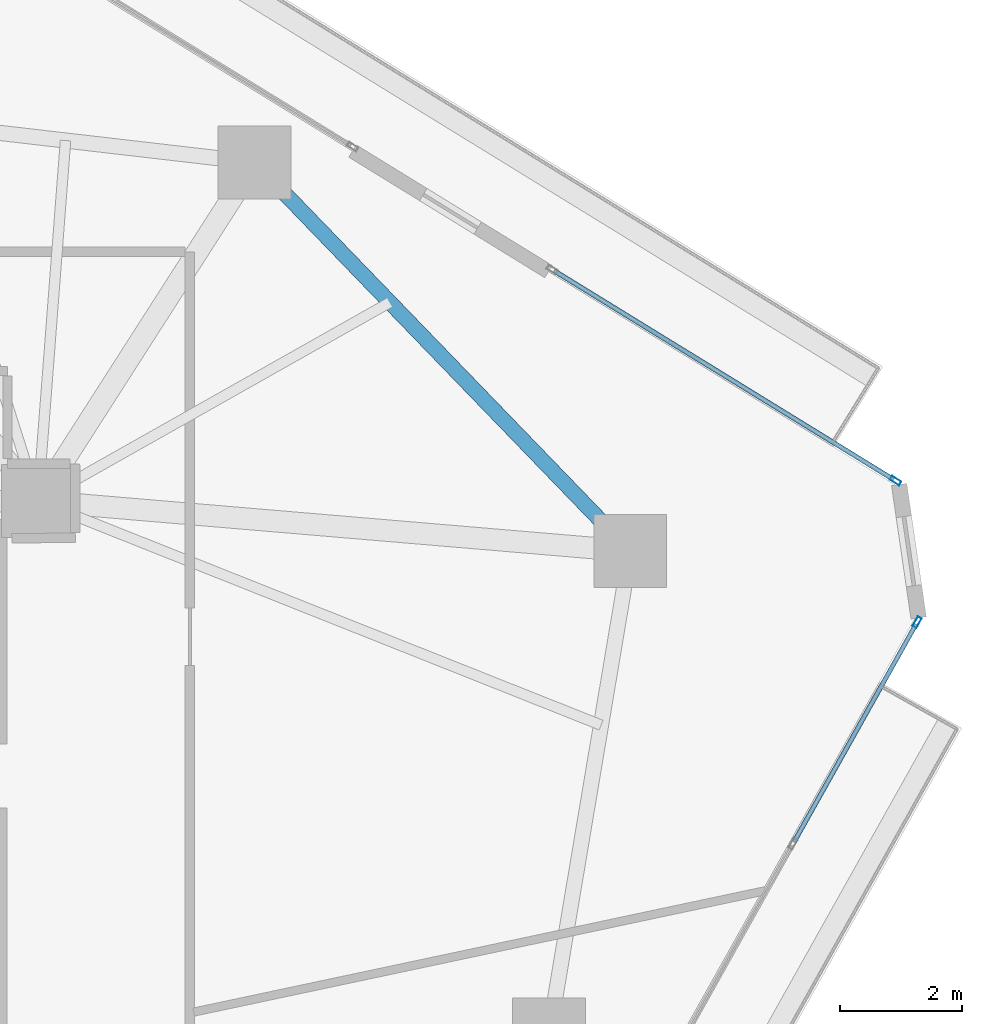
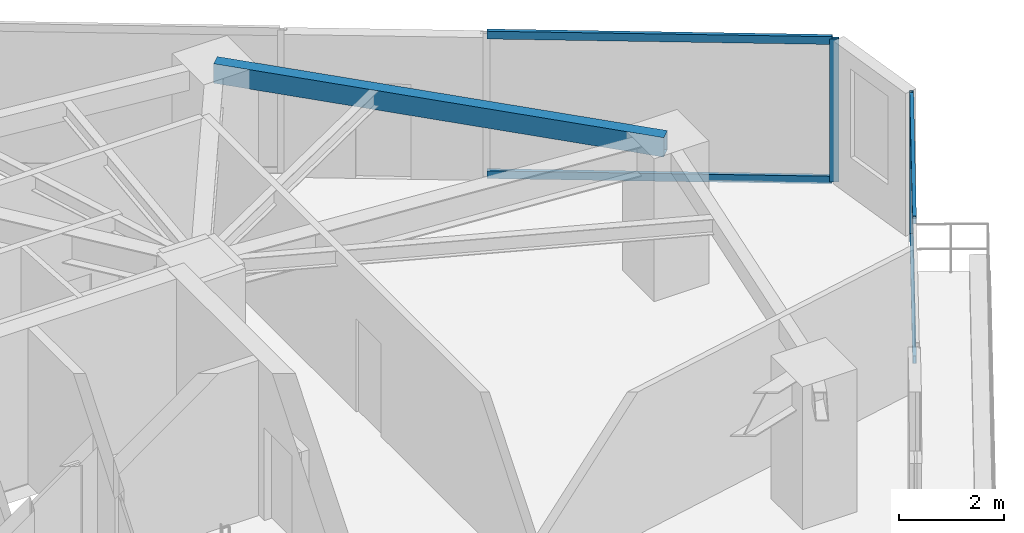
# One storey, part 11 of 21: 6 members, 1 beam, 2 elements without a shape of their own.
"""IFC4 building model written with IfcOpenShell, lengths in metres."""

from ifc_helpers import new_model, si_unit, direction, frame, origin, origin_2d, place, context, subcontext, project, spatial, hollow_rectangle, extrude, source, transform, mapped, material, layer, layer_set, material_profile, profile_set, type_object, type_shapes, element, aggregate, save


model = new_model("IFC4")

# Units and contexts
model_context = context("Model", 3, precision=1e-05, world=origin(), true_north=direction((0.0, 1.0)))
body_context = subcontext(model_context, "Body", "Model", "MODEL_VIEW")
ifc_project = project(units=[si_unit("LENGTHUNIT", "METRE"), si_unit("AREAUNIT", "SQUARE_METRE"), si_unit("VOLUMEUNIT", "CUBIC_METRE"), si_unit("PLANEANGLEUNIT", "RADIAN"), si_unit("MASSUNIT", "GRAM", prefix="KILO")], contexts=[model_context])

# Site, building, storey
site_placement = place(None, origin())
site = spatial("IfcSite", under=ifc_project, at=site_placement, CompositionType="ELEMENT")
building_placement = place(site_placement, origin())
building = spatial("IfcBuilding", under=site, at=building_placement, Name="Talar Marvaseh", CompositionType="ELEMENT")
storey_placement = place(building_placement, frame((0.0, 0.0, 139.800048828125)))
storey = spatial("IfcBuildingStorey", under=building, at=storey_placement, Name="L36", CompositionType="ELEMENT", Elevation=139.800048828125)

# Beam
ifc_material_1 = material(Name="Steel S355", Category="steel")
ifc_material_profile_1 = material_profile(ifc_material_1, hollow_rectangle(XDim=0.25, YDim=0.449951171875, WallThickness=0.01611328125, at=origin_2d()), Name="RHS450x250x16")
ifc_profile_set_1 = profile_set([ifc_material_profile_1], Name="Steel S355")
beam_type = type_object("IfcBeamType", Name="Zone 2 Perimeter Spandrel Beam RHS450x250x16", PredefinedType="SPANDREL", material=ifc_profile_set_1)
beam_placement = place(storey_placement, frame((36.865966796875, 42.470947265625, 3.0849609375), z_axis=(0.694796856243, -0.719206040405, 0.0), x_axis=(0.719206040405, 0.694796856243, 0.0)))
element("IfcBeam", 1, at=beam_placement, inside=storey, type_object=beam_type, Name="L36 Zone 2 Perimeter Spandrel Beam RHS450x250x16", PredefinedType="SPANDREL", context=body_context, shape_type="SweptSolid", body=[
    extrude(hollow_rectangle(XDim=0.25, YDim=0.449951171875, WallThickness=0.01611328125, at=origin_2d()), origin(), (0.0, 0.0, 1.0), 8.891845703125),
])

# Curtain wall, member
ifc_material_2 = material(Name="Architectural Aluminium", Category="aluminium")
ifc_layer = layer(ifc_material_2, 0.199951171875)
ifc_layer_set = layer_set([ifc_layer], Name="Architectural Aluminium")
curtain_wall_type = type_object("IfcCurtainWallType", Name="Unitised Acoustic Library Curtain Wall Z2", PredefinedType="NOTDEFINED", material=ifc_layer_set)
curtain_wall_1_placement = place(storey_placement, origin())
curtain_wall_1 = element("IfcCurtainWall", 2, at=curtain_wall_1_placement, inside=storey, type_object=curtain_wall_type, Name="L36 Unitised Acoustic Library Curtain Wall Z2", PredefinedType="NOTDEFINED")
ifc_material_profile_2 = material_profile(ifc_material_2, hollow_rectangle(XDim=0.074951171875, YDim=0.179931640625, WallThickness=0.0048828125, at=origin_2d()), Name="RHS180x75x5")
ifc_profile_set_2 = profile_set([ifc_material_profile_2], Name="Architectural Aluminium")
member_type_1 = type_object("IfcMemberType", Name="Unitised Curtain Wall Standard Mullion RHS180x75x5", PredefinedType="MULLION", material=ifc_profile_set_2)
shared_shape_1 = source(origin(), body_context, "Body", "SweptSolid", [
    extrude(hollow_rectangle(XDim=0.074951171875, YDim=0.179931640625, WallThickness=0.0048828125, at=origin_2d()), origin(), (0.0, 0.0, 1.0), 3.31005859375),
])
type_shapes(member_type_1, [shared_shape_1])
member_1_placement = place(storey_placement, frame((47.408447265625, 37.23388671875, 0.0), z_axis=(0.0, 0.0, 1.0), x_axis=(0.523930983177, 0.85176072043, 0.0)))
member_1 = element("IfcMember", 3, at=member_1_placement, type_object=member_type_1, Name="CW-Z2 mullion 2", PredefinedType="MULLION", context=body_context, shape_type="MappedRepresentation", body=[
    mapped(shared_shape_1, transform((0.0, 0.0, 0.0), x_axis=(1.0, 0.0, 0.0), y_axis=(0.0, 1.0, 0.0), z_axis=(0.0, 0.0, 1.0), scale=1.0)),
])

# Curtain wall, members
curtain_wall_2_placement = place(storey_placement, origin())
curtain_wall_2 = element("IfcCurtainWall", 4, at=curtain_wall_2_placement, inside=storey, type_object=curtain_wall_type, Name="L36 Unitised Acoustic Library Curtain Wall Z2", PredefinedType="NOTDEFINED")
member_2_placement = place(storey_placement, frame((47.763916015625, 34.907958984375, 0.0), z_axis=(0.0, 0.0, 1.0), x_axis=(0.87241842349, -0.488759751161, 0.0)))
member_2 = element("IfcMember", 5, at=member_2_placement, type_object=member_type_1, Name="CW-Z2 mullion 1", PredefinedType="MULLION", context=body_context, shape_type="MappedRepresentation", body=[
    mapped(shared_shape_1, transform((0.0, 0.0, 0.0), x_axis=(1.0, 0.0, 0.0), y_axis=(0.0, 1.0, 0.0), z_axis=(0.0, 0.0, 1.0), scale=1.0)),
])
ifc_material_profile_3 = material_profile(ifc_material_2, hollow_rectangle(XDim=0.074951171875, YDim=0.179931640625, WallThickness=0.0048828125, at=origin_2d()), Name="RHS180x75x5")
ifc_profile_set_3 = profile_set([ifc_material_profile_3], Name="Architectural Aluminium")
member_type_2 = type_object("IfcMemberType", Name="Unitised Curtain Wall Transom RHS180x75x5", PredefinedType="USERDEFINED", material=ifc_profile_set_3)
shared_shape_2 = source(origin(), body_context, "Body", "SweptSolid", [
    extrude(hollow_rectangle(XDim=0.074951171875, YDim=0.179931640625, WallThickness=0.0048828125, at=origin_2d()), origin(), (0.0, 0.0, 1.0), 4.10302734375),
])
member_3_placement = place(storey_placement, frame((47.74560546875, 34.875244140625, 0.037353515625), z_axis=(-0.488751936423, -0.872422801538, 0.0), x_axis=(0.872422801538, -0.488751936423, 0.0)))
member_3 = element("IfcMember", 6, at=member_3_placement, type_object=member_type_2, Name="CW-Z2 transom 1.1", ObjectType="TRANSOM", PredefinedType="USERDEFINED", context=body_context, shape_type="MappedRepresentation", body=[
    mapped(shared_shape_2, transform((0.0, 0.0, 0.0), x_axis=(1.0, 0.0, 0.0), y_axis=(0.0, 1.0, 0.0), z_axis=(0.0, 0.0, 1.0), scale=1.0)),
])
member_4_placement = place(storey_placement, frame((47.74560546875, 34.875244140625, 3.2724609375), z_axis=(-0.488751936423, -0.872422801538, 0.0), x_axis=(0.872422801538, -0.488751936423, 0.0)))
member_4 = element("IfcMember", 7, at=member_4_placement, type_object=member_type_2, Name="CW-Z2 transom 1.2", ObjectType="TRANSOM", PredefinedType="USERDEFINED", context=body_context, shape_type="MappedRepresentation", body=[
    mapped(shared_shape_2, transform((0.0, 0.0, 0.0), x_axis=(1.0, 0.0, 0.0), y_axis=(0.0, 1.0, 0.0), z_axis=(0.0, 0.0, 1.0), scale=1.0)),
])
aggregate(curtain_wall_2, [member_2, member_3, member_4])

# Member
shared_shape_3 = source(origin(), body_context, "Body", "SweptSolid", [
    extrude(hollow_rectangle(XDim=0.074951171875, YDim=0.179931640625, WallThickness=0.0048828125, at=origin_2d()), origin(), (0.0, 0.0, 1.0), 6.5546875),
])
type_shapes(member_type_2, [shared_shape_2, shared_shape_3])
member_5_placement = place(storey_placement, frame((41.79345703125, 40.687744140625, 0.037353515625), z_axis=(0.851751659085, -0.523945714026, 0.0), x_axis=(0.523945714026, 0.851751659085, 0.0)))
member_5 = element("IfcMember", 8, at=member_5_placement, type_object=member_type_2, Name="CW-Z2 transom 1.1", ObjectType="TRANSOM", PredefinedType="USERDEFINED", context=body_context, shape_type="MappedRepresentation", body=[
    mapped(shared_shape_3, transform((0.0, 0.0, 0.0), x_axis=(1.0, 0.0, 0.0), y_axis=(0.0, 1.0, 0.0), z_axis=(0.0, 0.0, 1.0), scale=1.0)),
])

member_6_placement = place(storey_placement, frame((41.79345703125, 40.687744140625, 3.2724609375), z_axis=(0.851751659085, -0.523945714026, 0.0), x_axis=(0.523945714026, 0.851751659085, 0.0)))
member_6 = element("IfcMember", 9, at=member_6_placement, type_object=member_type_2, Name="CW-Z2 transom 1.2", ObjectType="TRANSOM", PredefinedType="USERDEFINED", context=body_context, shape_type="MappedRepresentation", body=[
    mapped(shared_shape_3, transform((0.0, 0.0, 0.0), x_axis=(1.0, 0.0, 0.0), y_axis=(0.0, 1.0, 0.0), z_axis=(0.0, 0.0, 1.0), scale=1.0)),
])

aggregate(curtain_wall_1, [member_1, member_5, member_6])

save(model, "model.ifc")
